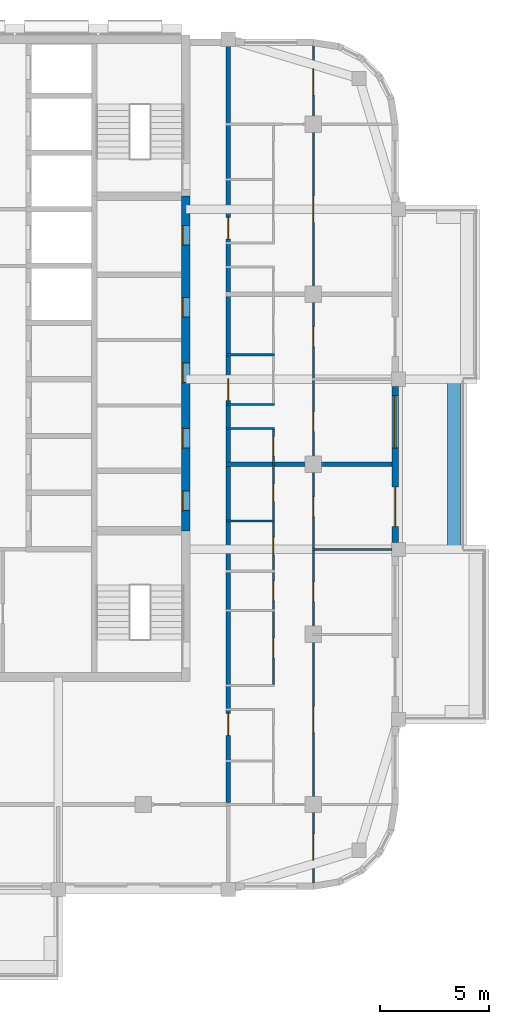
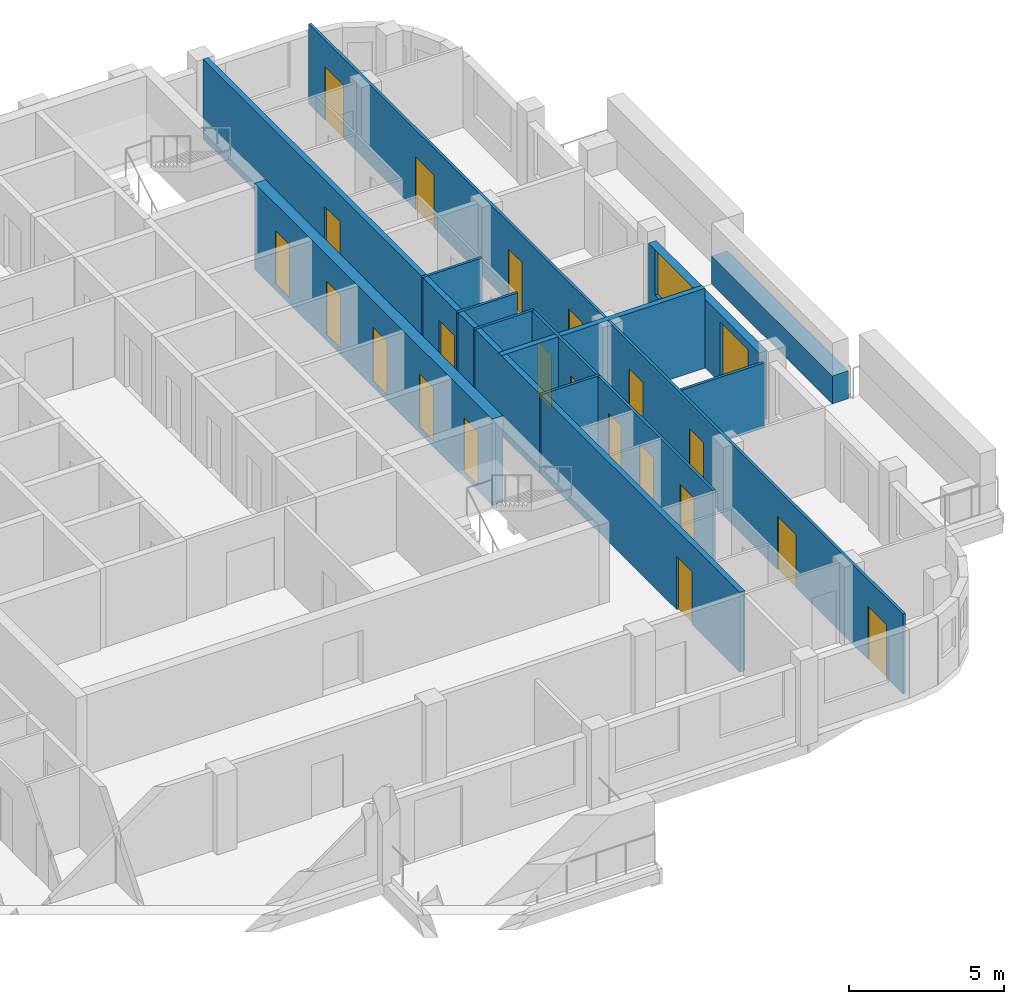
# One storey, part 6 of 13: 22 doors, 12 walls, 1 window, 23 openings.
"""IFC4 building model written with IfcOpenShell, lengths in metres."""

from ifc_helpers import new_model, si_unit, direction, frame, frame_2d, origin, place, context, subcontext, project, spatial, rectangle, extrude, material, layer, layer_set, type_object, element, fill, save


model = new_model("IFC4")

# Units and contexts
model_context = context("Model", 3, precision=1e-05, world=origin(), true_north=direction((0.0, 1.0)))
body_context = subcontext(model_context, "Body", "Model", "MODEL_VIEW")
ifc_project = project(units=[si_unit("LENGTHUNIT", "METRE"), si_unit("AREAUNIT", "SQUARE_METRE"), si_unit("VOLUMEUNIT", "CUBIC_METRE"), si_unit("PLANEANGLEUNIT", "RADIAN"), si_unit("MASSUNIT", "GRAM", prefix="KILO")], contexts=[model_context])

# Site, building, storey
site_placement = place(None, origin())
site = spatial("IfcSite", under=ifc_project, at=site_placement, CompositionType="ELEMENT")
building_placement = place(site_placement, origin())
building = spatial("IfcBuilding", under=site, at=building_placement, Name="Ludao Terraces", CompositionType="ELEMENT")
storey_placement = place(building_placement, frame((0.0, 0.0, 249.39990234375)))
storey = spatial("IfcBuildingStorey", under=building, at=storey_placement, Name="L68", CompositionType="ELEMENT", Elevation=249.39990234375)

# Wall, openings, doors
ifc_material_1 = material(Name="Concrete C50", Category="concrete")
ifc_layer_1 = layer(ifc_material_1, 0.39990234375)
ifc_layer_set_1 = layer_set([ifc_layer_1], Name="Core wall 400 C50")
wall_type_1 = type_object("IfcWallType", Name="Core wall 400 C50", PredefinedType="SOLIDWALL", material=ifc_layer_set_1)
wall_1_placement = place(storey_placement, frame((94.75, 61.949951171875, -0.25), z_axis=(0.0, 0.0, 1.0), x_axis=(0.0, 1.0, 0.0)))
wall_1 = element("IfcWall", 1, at=wall_1_placement, inside=storey, type_object=wall_type_1, Name="Core wall L68 outer-E", PredefinedType="SOLIDWALL", context=body_context, shape_type="SweptSolid", body=[
    extrude(rectangle(XDim=15.35009765625, YDim=0.39990234375, at=frame_2d((7.675048828125, 0.0))), origin(), (0.0, 0.0, 1.0), 3.400146484375),
])
opening_1_placement = place(wall_1_placement, frame((0.925048828125, 0.0, 0.25)))
opening_1 = element("IfcOpeningElement", 2, at=opening_1_placement, cuts=wall_1, Name="Opening R24-033", PredefinedType="OPENING", context=body_context, shape_type="SweptSolid", body=[
    extrude(rectangle(XDim=0.89990234375, YDim=2.10009765625, at=frame_2d((0.449951171875, 1.050048828125))), frame((0.0, 0.2099609375, 0.0), z_axis=(0.0, -1.0, 0.0), x_axis=(1.0, 0.0, 0.0)), (0.0, 0.0, 1.0), 0.419921875),
])
opening_2_placement = place(wall_1_placement, frame((3.800048828125, 0.0, 0.25)))
opening_2 = element("IfcOpeningElement", 3, at=opening_2_placement, cuts=wall_1, Name="Opening R24-040", PredefinedType="OPENING", context=body_context, shape_type="SweptSolid", body=[
    extrude(rectangle(XDim=0.89990234375, YDim=2.10009765625, at=frame_2d((0.449951171875, 1.050048828125))), frame((0.0, 0.2099609375, 0.0), z_axis=(0.0, -1.0, 0.0), x_axis=(1.0, 0.0, 0.0)), (0.0, 0.0, 1.0), 0.419921875),
])
opening_3_placement = place(wall_1_placement, frame((6.800048828125, 0.0, 0.25)))
opening_3 = element("IfcOpeningElement", 4, at=opening_3_placement, cuts=wall_1, Name="Opening R24-050", PredefinedType="OPENING", context=body_context, shape_type="SweptSolid", body=[
    extrude(rectangle(XDim=0.89990234375, YDim=2.10009765625, at=frame_2d((0.449951171875, 1.050048828125))), frame((0.0, 0.2099609375, 0.0), z_axis=(0.0, -1.0, 0.0), x_axis=(1.0, 0.0, 0.0)), (0.0, 0.0, 1.0), 0.419921875),
])
opening_4_placement = place(wall_1_placement, frame((9.800048828125, 0.0, 0.25)))
opening_4 = element("IfcOpeningElement", 5, at=opening_4_placement, cuts=wall_1, Name="Opening R24-058", PredefinedType="OPENING", context=body_context, shape_type="SweptSolid", body=[
    extrude(rectangle(XDim=0.89990234375, YDim=2.10009765625, at=frame_2d((0.449951171875, 1.050048828125))), frame((0.0, 0.2099609375, 0.0), z_axis=(0.0, -1.0, 0.0), x_axis=(1.0, 0.0, 0.0)), (0.0, 0.0, 1.0), 0.419921875),
])
opening_5_placement = place(wall_1_placement, frame((13.10009765625, 0.0, 0.25)))
opening_5 = element("IfcOpeningElement", 6, at=opening_5_placement, cuts=wall_1, Name="Opening R24-067", PredefinedType="OPENING", context=body_context, shape_type="SweptSolid", body=[
    extrude(rectangle(XDim=0.89990234375, YDim=2.10009765625, at=frame_2d((0.449951171875, 1.050048828125))), frame((0.0, 0.2099609375, 0.0), z_axis=(0.0, -1.0, 0.0), x_axis=(1.0, 0.0, 0.0)), (0.0, 0.0, 1.0), 0.419921875),
])
ifc_material_2 = material(Name="Steel Q235", Category="steel")
door_type_1 = type_object("IfcDoorType", Name="INT Riser door 900", OperationType="SINGLE_SWING_LEFT", PredefinedType="DOOR", material=ifc_material_2)
door_1_placement = place(opening_1_placement, origin())
door_1 = element("IfcDoor", 7, at=door_1_placement, inside=storey, type_object=door_type_1, Name="DOOR 033", OperationType="SINGLE_SWING_LEFT", OverallHeight=2.10009765625, OverallWidth=0.89990234375, PredefinedType="DOOR", context=body_context, shape_type="SweptSolid", body=[
    extrude(rectangle(XDim=0.89990234375, YDim=2.10009765625, at=frame_2d((0.449951171875, 1.050048828125))), frame((0.0, 0.18505859375, 0.0), z_axis=(0.0, -1.0, 0.0), x_axis=(1.0, 0.0, 0.0)), (0.0, 0.0, 1.0), 0.050048828125),
])
fill(opening_1, door_1)
door_2_placement = place(opening_5_placement, origin())
door_2 = element("IfcDoor", 8, at=door_2_placement, inside=storey, type_object=door_type_1, Name="DOOR 067", OperationType="SINGLE_SWING_RIGHT", OverallHeight=2.10009765625, OverallWidth=0.89990234375, PredefinedType="DOOR", context=body_context, shape_type="SweptSolid", body=[
    extrude(rectangle(XDim=0.89990234375, YDim=2.10009765625, at=frame_2d((0.449951171875, 1.050048828125))), frame((0.0, 0.18505859375, 0.0), z_axis=(0.0, -1.0, 0.0), x_axis=(1.0, 0.0, 0.0)), (0.0, 0.0, 1.0), 0.050048828125),
])
fill(opening_5, door_2)
ifc_material_3 = material(Name="Timber door leaf", Category="wood")
door_type_2 = type_object("IfcDoorType", Name="INT Room door 900", OperationType="SINGLE_SWING_LEFT", PredefinedType="DOOR", material=ifc_material_3)
door_3_placement = place(opening_2_placement, origin())
door_3 = element("IfcDoor", 9, at=door_3_placement, inside=storey, type_object=door_type_2, Name="DOOR 040", OperationType="SINGLE_SWING_LEFT", OverallHeight=2.10009765625, OverallWidth=0.89990234375, PredefinedType="DOOR", context=body_context, shape_type="SweptSolid", body=[
    extrude(rectangle(XDim=0.89990234375, YDim=2.10009765625, at=frame_2d((0.449951171875, 1.050048828125))), frame((0.0, 0.18505859375, 0.0), z_axis=(0.0, -1.0, 0.0), x_axis=(1.0, 0.0, 0.0)), (0.0, 0.0, 1.0), 0.050048828125),
])
fill(opening_2, door_3)
door_4_placement = place(opening_3_placement, origin())
door_4 = element("IfcDoor", 10, at=door_4_placement, inside=storey, type_object=door_type_2, Name="DOOR 050", OperationType="SINGLE_SWING_LEFT", OverallHeight=2.10009765625, OverallWidth=0.89990234375, PredefinedType="DOOR", context=body_context, shape_type="SweptSolid", body=[
    extrude(rectangle(XDim=0.89990234375, YDim=2.10009765625, at=frame_2d((0.449951171875, 1.050048828125))), frame((0.0, 0.18505859375, 0.0), z_axis=(0.0, -1.0, 0.0), x_axis=(1.0, 0.0, 0.0)), (0.0, 0.0, 1.0), 0.050048828125),
])
fill(opening_3, door_4)
door_5_placement = place(opening_4_placement, origin())
door_5 = element("IfcDoor", 11, at=door_5_placement, inside=storey, type_object=door_type_2, Name="DOOR 058", OperationType="SINGLE_SWING_LEFT", OverallHeight=2.10009765625, OverallWidth=0.89990234375, PredefinedType="DOOR", context=body_context, shape_type="SweptSolid", body=[
    extrude(rectangle(XDim=0.89990234375, YDim=2.10009765625, at=frame_2d((0.449951171875, 1.050048828125))), frame((0.0, 0.18505859375, 0.0), z_axis=(0.0, -1.0, 0.0), x_axis=(1.0, 0.0, 0.0)), (0.0, 0.0, 1.0), 0.050048828125),
])
fill(opening_4, door_5)

# Wall
ifc_material_4 = material(Name="Concrete C40", Category="concrete")
ifc_layer_2 = layer(ifc_material_4, 0.60009765625)
ifc_layer_set_2 = layer_set([ifc_layer_2], Name="ENV Planter trough 600")
wall_type_2 = type_object("IfcWallType", Name="ENV Planter trough 600", PredefinedType="USERDEFINED", material=ifc_layer_set_2)
wall_2_placement = place(storey_placement, frame((107.050048828125, 61.10009765625, 0.0), z_axis=(0.0, 0.0, 1.0), x_axis=(0.0, 1.0, 0.0)))
element("IfcWall", 12, at=wall_2_placement, inside=storey, type_object=wall_type_2, Name="PL-L68-E2", ObjectType="PLANTER", PredefinedType="USERDEFINED", context=body_context, shape_type="SweptSolid", body=[
    extrude(rectangle(XDim=7.7998046875, YDim=0.60009765625, at=frame_2d((3.89990234375, 0.0))), origin(), (0.0, 0.0, 1.0), 1.10009765625),
])

# Wall, openings, door, window
ifc_material_5 = material(Name="Granite cladding", Category="masonry")
ifc_layer_3 = layer(ifc_material_5, 0.0400390625, Category="stone")
ifc_material_6 = material(Name="Mineral wool")
ifc_layer_4 = layer(ifc_material_6, 0.06005859375)
ifc_layer_5 = layer(ifc_material_4, 0.199951171875, Category="concrete")
ifc_layer_set_3 = layer_set([ifc_layer_3, ifc_layer_4, ifc_layer_5], Name="ENV Stone-clad wall 300")
wall_type_3 = type_object("IfcWallType", Name="ENV Stone-clad wall 300", PredefinedType="SOLIDWALL", material=ifc_layer_set_3)
wall_3_placement = place(storey_placement, frame((104.35009765625, 61.425048828125, 0.0), z_axis=(0.0, 0.0, 1.0), x_axis=(0.0, 1.0, 0.0)))
wall_3 = element("IfcWall", 13, at=wall_3_placement, inside=storey, type_object=wall_type_3, Name="EW-L68-E3", PredefinedType="SOLIDWALL", context=body_context, shape_type="SweptSolid", body=[
    extrude(rectangle(XDim=7.14990234375, YDim=0.300048828125, at=frame_2d((3.574951171875, 0.0))), origin(), (0.0, 0.0, 1.0), 2.7001953125),
])
opening_6_placement = place(wall_3_placement, frame((0.72509765625, 0.0, 0.0)))
opening_6 = element("IfcOpeningElement", 14, at=opening_6_placement, cuts=wall_3, Name="Opening BD", PredefinedType="OPENING", context=body_context, shape_type="SweptSolid", body=[
    extrude(rectangle(XDim=1.800048828125, YDim=2.39990234375, at=frame_2d((0.89990234375, 1.199951171875))), frame((0.0, 0.16015625, 0.0), z_axis=(0.0, -1.0, 0.0), x_axis=(1.0, 0.0, 0.0)), (0.0, 0.0, 1.0), 0.320068359375),
])
opening_7_placement = place(wall_3_placement, frame((4.324951171875, 0.0, 0.89990234375)))
opening_7 = element("IfcOpeningElement", 15, at=opening_7_placement, cuts=wall_3, Name="Opening W1", PredefinedType="OPENING", context=body_context, shape_type="SweptSolid", body=[
    extrude(rectangle(XDim=2.39990234375, YDim=1.800048828125, at=frame_2d((1.199951171875, 0.89990234375))), frame((0.0, 0.16015625, 0.0), z_axis=(0.0, -1.0, 0.0), x_axis=(1.0, 0.0, 0.0)), (0.0, 0.0, 1.0), 0.320068359375),
])
ifc_material_7 = material(Name="Aluminium glazed door", Category="aluminium")
ifc_layer_6 = layer(ifc_material_7, 0.06005859375)
ifc_layer_set_4 = layer_set([ifc_layer_6], Name="ENV Balcony door BD 1800x2400")
door_type_3 = type_object("IfcDoorType", Name="ENV Balcony door BD 1800x2400", OperationType="DOUBLE_DOOR_SINGLE_SWING", PredefinedType="DOOR", material=ifc_layer_set_4)
door_6_placement = place(opening_6_placement, origin())
door_6 = element("IfcDoor", 16, at=door_6_placement, inside=storey, type_object=door_type_3, Name="BD-L68-E3-1", OperationType="DOUBLE_DOOR_SINGLE_SWING", OverallHeight=2.39990234375, OverallWidth=1.800048828125, PredefinedType="DOOR", context=body_context, shape_type="SweptSolid", body=[
    extrude(rectangle(XDim=1.800048828125, YDim=2.39990234375, at=frame_2d((0.89990234375, 1.199951171875))), frame((0.0, 0.02490234375, 0.0), z_axis=(0.0, -1.0, 0.0), x_axis=(1.0, 0.0, 0.0)), (0.0, 0.0, 1.0), 0.050048828125),
])
fill(opening_6, door_6)
ifc_material_8 = material(Name="Clear glass in aluminium frame", Category="aluminium")
ifc_layer_7 = layer(ifc_material_8, 0.06005859375)
ifc_layer_set_5 = layer_set([ifc_layer_7], Name="ENV Window W1 2400x1800")
window_type = type_object("IfcWindowType", Name="ENV Window W1 2400x1800", PartitioningType="DOUBLE_PANEL_VERTICAL", PredefinedType="WINDOW", material=ifc_layer_set_5)
window_placement = place(opening_7_placement, origin())
window = element("IfcWindow", 17, at=window_placement, inside=storey, type_object=window_type, Name="W-L68-E3-2", OverallHeight=1.800048828125, OverallWidth=2.39990234375, PartitioningType="DOUBLE_PANEL_VERTICAL", PredefinedType="WINDOW", context=body_context, shape_type="SweptSolid", body=[
    extrude(rectangle(XDim=2.39990234375, YDim=1.800048828125, at=frame_2d((1.199951171875, 0.89990234375))), frame((0.0, 0.030029296875, 0.0), z_axis=(0.0, -1.0, 0.0), x_axis=(1.0, 0.0, 0.0)), (0.0, 0.0, 1.0), 0.06005859375),
])
fill(opening_7, window)

# Wall, openings, doors
ifc_material_9 = material(Name="Autoclaved aerated concrete block B06 A3.5", Category="concrete")
ifc_layer_8 = layer(ifc_material_9, 0.199951171875)
ifc_layer_set_6 = layer_set([ifc_layer_8], Name="INT Entrance wall 200")
wall_type_4 = type_object("IfcWallType", Name="INT Entrance wall 200", PredefinedType="PARTITIONING", material=ifc_layer_set_6)
wall_4_placement = place(storey_placement, frame((96.699951171875, 49.5, 0.0), z_axis=(0.0, 0.0, 1.0), x_axis=(0.0, 1.0, 0.0)))
wall_4 = element("IfcWall", 18, at=wall_4_placement, inside=storey, type_object=wall_type_4, Name="PW-L68-PW056", PredefinedType="PARTITIONING", context=body_context, shape_type="SweptSolid", body=[
    extrude(rectangle(XDim=34.7001953125, YDim=0.199951171875, at=frame_2d((17.35009765625, 0.0))), origin(), (0.0, 0.0, 1.0), 3.150146484375),
])
opening_8_placement = place(wall_4_placement, frame((3.0751953125, 0.0, 0.0)))
opening_8 = element("IfcOpeningElement", 19, at=opening_8_placement, cuts=wall_4, Name="Opening R24-012", PredefinedType="OPENING", context=body_context, shape_type="SweptSolid", body=[
    extrude(rectangle(XDim=1.0, YDim=2.10009765625, at=frame_2d((0.5, 1.050048828125))), frame((0.0, 0.10986328125, 0.0), z_axis=(0.0, -1.0, 0.0), x_axis=(1.0, 0.0, 0.0)), (0.0, 0.0, 1.0), 0.219970703125),
])
opening_9_placement = place(wall_4_placement, frame((18.425048828125, 0.0, 0.0)))
opening_9 = element("IfcOpeningElement", 20, at=opening_9_placement, cuts=wall_4, Name="Opening R24-047", PredefinedType="OPENING", context=body_context, shape_type="SweptSolid", body=[
    extrude(rectangle(XDim=1.0, YDim=2.10009765625, at=frame_2d((0.5, 1.050048828125))), frame((0.0, 0.10986328125, 0.0), z_axis=(0.0, -1.0, 0.0), x_axis=(1.0, 0.0, 0.0)), (0.0, 0.0, 1.0), 0.219970703125),
])
opening_10_placement = place(wall_4_placement, frame((25.8251953125, 0.0, 0.0)))
opening_10 = element("IfcOpeningElement", 21, at=opening_10_placement, cuts=wall_4, Name="Opening R24-069", PredefinedType="OPENING", context=body_context, shape_type="SweptSolid", body=[
    extrude(rectangle(XDim=1.0, YDim=2.10009765625, at=frame_2d((0.5, 1.050048828125))), frame((0.0, 0.10986328125, 0.0), z_axis=(0.0, -1.0, 0.0), x_axis=(1.0, 0.0, 0.0)), (0.0, 0.0, 1.0), 0.219970703125),
])
door_type_4 = type_object("IfcDoorType", Name="INT Flat entrance door 1000", OperationType="SINGLE_SWING_LEFT", PredefinedType="DOOR", material=ifc_material_2)
door_7_placement = place(opening_8_placement, origin())
door_7 = element("IfcDoor", 22, at=door_7_placement, inside=storey, type_object=door_type_4, Name="DOOR 012", OperationType="SINGLE_SWING_RIGHT", OverallHeight=2.10009765625, OverallWidth=1.0, PredefinedType="DOOR", context=body_context, shape_type="SweptSolid", body=[
    extrude(rectangle(XDim=1.0, YDim=2.10009765625, at=frame_2d((0.5, 1.050048828125))), frame((0.0, 0.02490234375, 0.0), z_axis=(0.0, -1.0, 0.0), x_axis=(1.0, 0.0, 0.0)), (0.0, 0.0, 1.0), 0.050048828125),
])
fill(opening_8, door_7)
door_8_placement = place(opening_9_placement, origin())
door_8 = element("IfcDoor", 23, at=door_8_placement, inside=storey, type_object=door_type_4, Name="DOOR 047", OperationType="SINGLE_SWING_LEFT", OverallHeight=2.10009765625, OverallWidth=1.0, PredefinedType="DOOR", context=body_context, shape_type="SweptSolid", body=[
    extrude(rectangle(XDim=1.0, YDim=2.10009765625, at=frame_2d((0.5, 1.050048828125))), frame((0.0, 0.02490234375, 0.0), z_axis=(0.0, -1.0, 0.0), x_axis=(1.0, 0.0, 0.0)), (0.0, 0.0, 1.0), 0.050048828125),
])
fill(opening_9, door_8)
door_9_placement = place(opening_10_placement, origin())
door_9 = element("IfcDoor", 24, at=door_9_placement, inside=storey, type_object=door_type_4, Name="DOOR 069", OperationType="SINGLE_SWING_LEFT", OverallHeight=2.10009765625, OverallWidth=1.0, PredefinedType="DOOR", context=body_context, shape_type="SweptSolid", body=[
    extrude(rectangle(XDim=1.0, YDim=2.10009765625, at=frame_2d((0.5, 1.050048828125))), frame((0.0, 0.02490234375, 0.0), z_axis=(0.0, -1.0, 0.0), x_axis=(1.0, 0.0, 0.0)), (0.0, 0.0, 1.0), 0.050048828125),
])
fill(opening_10, door_9)

# Walls
ifc_material_10 = material(Name="Gypsum plasterboard", Category="gypsum")
ifc_layer_9 = layer(ifc_material_10, 0.012451171875, Category="gypsum")
ifc_layer_10 = layer(ifc_material_6, 0.06005859375, Name="insulation")
ifc_layer_11 = layer(ifc_material_2, 0.014892578125, Name="stud")
ifc_layer_12 = layer(ifc_material_10, 0.012451171875, Category="gypsum")
ifc_layer_set_7 = layer_set([ifc_layer_9, ifc_layer_10, ifc_layer_11, ifc_layer_12], Name="INT Partition 100")
wall_type_5 = type_object("IfcWallType", Name="INT Partition 100", PredefinedType="PARTITIONING", material=ifc_layer_set_7)
wall_5_placement = place(storey_placement, frame((100.550048828125, 61.10009765625, 0.0), z_axis=(0.0, 0.0, 1.0), x_axis=(1.0, 0.0, 0.0)))
element("IfcWall", 25, at=wall_5_placement, inside=storey, type_object=wall_type_5, Name="PW-L68-PW018", PredefinedType="PARTITIONING", context=body_context, shape_type="SweptSolid", body=[
    extrude(rectangle(XDim=3.650146484375, YDim=0.10009765625, at=frame_2d((1.8251953125, 0.0))), origin(), (0.0, 0.0, 1.0), 2.550048828125),
])
for number, where, z_axis, x_axis, name in (
    (26, (96.60009765625, 62.39990234375, 0.0), (0.0, 0.0, 1.0), (1.0, 0.0, 0.0), "PW-L68-PW020"),
    (27, (96.60009765625, 66.64990234375, 0.0), (0.0, 0.0, 1.0), (1.0, 0.0, 0.0), "PW-L68-PW024"),
    (28, (96.60009765625, 67.75, 0.0), (0.0, 0.0, 1.0), (1.0, 0.0, 0.0), "PW-L68-PW027"),
    (29, (96.60009765625, 70.030029296875, 0.0), (0.0, 0.0, 1.0), (1.0, 0.0, 0.0), "PW-L68-PW030"),
):
    element("IfcWall", number, at=place(storey_placement, frame(where, z_axis=z_axis, x_axis=x_axis)), inside=storey, type_object=wall_type_5, Name=name, PredefinedType="PARTITIONING", context=body_context, shape_type="SweptSolid", body=[
        extrude(rectangle(XDim=2.219970703125, YDim=0.10009765625, at=frame_2d((1.10986328125, 0.0))), origin(), (0.0, 0.0, 1.0), 3.150146484375),
    ])

# Wall, openings, doors
wall_6_placement = place(storey_placement, frame((98.77001953125, 54.900146484375, 0.0), z_axis=(0.0, 0.0, 1.0), x_axis=(0.0, 1.0, 0.0)))
wall_6 = element("IfcWall", 30, at=wall_6_placement, inside=storey, type_object=wall_type_5, Name="PW-L68-PW058", PredefinedType="PARTITIONING", context=body_context, shape_type="SweptSolid", body=[
    extrude(rectangle(XDim=11.699951171875, YDim=0.10009765625, at=frame_2d((5.85009765625, 0.0))), origin(), (0.0, 0.0, 1.0), 3.150146484375),
])
opening_11_placement = place(wall_6_placement, frame((1.22509765625, 0.0, 0.0)))
opening_11 = element("IfcOpeningElement", 31, at=opening_11_placement, cuts=wall_6, Name="Opening R24-019", PredefinedType="OPENING", context=body_context, shape_type="SweptSolid", body=[
    extrude(rectangle(XDim=0.89990234375, YDim=2.10009765625, at=frame_2d((0.449951171875, 1.050048828125))), frame((0.0, 0.06005859375, 0.0), z_axis=(0.0, -1.0, 0.0), x_axis=(1.0, 0.0, 0.0)), (0.0, 0.0, 1.0), 0.1201171875),
])
opening_12_placement = place(wall_6_placement, frame((3.85009765625, 0.0, 0.0)))
opening_12 = element("IfcOpeningElement", 32, at=opening_12_placement, cuts=wall_6, Name="Opening R24-024", PredefinedType="OPENING", context=body_context, shape_type="SweptSolid", body=[
    extrude(rectangle(XDim=0.89990234375, YDim=2.10009765625, at=frame_2d((0.449951171875, 1.050048828125))), frame((0.0, 0.06005859375, 0.0), z_axis=(0.0, -1.0, 0.0), x_axis=(1.0, 0.0, 0.0)), (0.0, 0.0, 1.0), 0.1201171875),
])
opening_13_placement = place(wall_6_placement, frame((5.949951171875, 0.0, 0.0)))
opening_13 = element("IfcOpeningElement", 33, at=opening_13_placement, cuts=wall_6, Name="Opening R24-027", PredefinedType="OPENING", context=body_context, shape_type="SweptSolid", body=[
    extrude(rectangle(XDim=0.800048828125, YDim=2.10009765625, at=frame_2d((0.39990234375, 1.050048828125))), frame((0.0, 0.06005859375, 0.0), z_axis=(0.0, -1.0, 0.0), x_axis=(1.0, 0.0, 0.0)), (0.0, 0.0, 1.0), 0.1201171875),
])
opening_14_placement = place(wall_6_placement, frame((8.39990234375, 0.0, 0.0)))
opening_14 = element("IfcOpeningElement", 34, at=opening_14_placement, cuts=wall_6, Name="Opening R24-035", PredefinedType="OPENING", context=body_context, shape_type="SweptSolid", body=[
    extrude(rectangle(XDim=0.800048828125, YDim=2.10009765625, at=frame_2d((0.39990234375, 1.050048828125))), frame((0.0, 0.06005859375, 0.0), z_axis=(0.0, -1.0, 0.0), x_axis=(1.0, 0.0, 0.0)), (0.0, 0.0, 1.0), 0.1201171875),
])
opening_15_placement = place(wall_6_placement, frame((10.47509765625, 0.0, 0.0)))
opening_15 = element("IfcOpeningElement", 35, at=opening_15_placement, cuts=wall_6, Name="Opening R24-039", PredefinedType="OPENING", context=body_context, shape_type="SweptSolid", body=[
    extrude(rectangle(XDim=0.89990234375, YDim=2.10009765625, at=frame_2d((0.449951171875, 1.050048828125))), frame((0.0, 0.06005859375, 0.0), z_axis=(0.0, -1.0, 0.0), x_axis=(1.0, 0.0, 0.0)), (0.0, 0.0, 1.0), 0.1201171875),
])
door_type_5 = type_object("IfcDoorType", Name="INT Bathroom door 900", OperationType="SINGLE_SWING_LEFT", PredefinedType="DOOR", material=ifc_material_3)
door_10_placement = place(opening_12_placement, origin())
door_10 = element("IfcDoor", 36, at=door_10_placement, inside=storey, type_object=door_type_5, Name="DOOR 024", OperationType="SINGLE_SWING_LEFT", OverallHeight=2.10009765625, OverallWidth=0.89990234375, PredefinedType="DOOR", context=body_context, shape_type="SweptSolid", body=[
    extrude(rectangle(XDim=0.89990234375, YDim=2.10009765625, at=frame_2d((0.449951171875, 1.050048828125))), frame((0.0, 0.02490234375, 0.0), z_axis=(0.0, -1.0, 0.0), x_axis=(1.0, 0.0, 0.0)), (0.0, 0.0, 1.0), 0.050048828125),
])
fill(opening_12, door_10)
door_11_placement = place(opening_15_placement, origin())
door_11 = element("IfcDoor", 37, at=door_11_placement, inside=storey, type_object=door_type_5, Name="DOOR 039", OperationType="SINGLE_SWING_LEFT", OverallHeight=2.10009765625, OverallWidth=0.89990234375, PredefinedType="DOOR", context=body_context, shape_type="SweptSolid", body=[
    extrude(rectangle(XDim=0.89990234375, YDim=2.10009765625, at=frame_2d((0.449951171875, 1.050048828125))), frame((0.0, 0.02490234375, 0.0), z_axis=(0.0, -1.0, 0.0), x_axis=(1.0, 0.0, 0.0)), (0.0, 0.0, 1.0), 0.050048828125),
])
fill(opening_15, door_11)
door_12_placement = place(opening_11_placement, origin())
door_12 = element("IfcDoor", 38, at=door_12_placement, inside=storey, type_object=door_type_2, Name="DOOR 019", OperationType="SINGLE_SWING_LEFT", OverallHeight=2.10009765625, OverallWidth=0.89990234375, PredefinedType="DOOR", context=body_context, shape_type="SweptSolid", body=[
    extrude(rectangle(XDim=0.89990234375, YDim=2.10009765625, at=frame_2d((0.449951171875, 1.050048828125))), frame((0.0, 0.02490234375, 0.0), z_axis=(0.0, -1.0, 0.0), x_axis=(1.0, 0.0, 0.0)), (0.0, 0.0, 1.0), 0.050048828125),
])
fill(opening_11, door_12)
door_type_6 = type_object("IfcDoorType", Name="INT Store door 800", OperationType="SINGLE_SWING_LEFT", PredefinedType="DOOR", material=ifc_material_3)
door_13_placement = place(opening_13_placement, origin())
door_13 = element("IfcDoor", 39, at=door_13_placement, inside=storey, type_object=door_type_6, Name="DOOR 027", OperationType="SINGLE_SWING_LEFT", OverallHeight=2.10009765625, OverallWidth=0.800048828125, PredefinedType="DOOR", context=body_context, shape_type="SweptSolid", body=[
    extrude(rectangle(XDim=0.800048828125, YDim=2.10009765625, at=frame_2d((0.39990234375, 1.050048828125))), frame((0.0, 0.02490234375, 0.0), z_axis=(0.0, -1.0, 0.0), x_axis=(1.0, 0.0, 0.0)), (0.0, 0.0, 1.0), 0.050048828125),
])
fill(opening_13, door_13)
door_14_placement = place(opening_14_placement, origin())
door_14 = element("IfcDoor", 40, at=door_14_placement, inside=storey, type_object=door_type_6, Name="DOOR 035", OperationType="SINGLE_SWING_LEFT", OverallHeight=2.10009765625, OverallWidth=0.800048828125, PredefinedType="DOOR", context=body_context, shape_type="SweptSolid", body=[
    extrude(rectangle(XDim=0.800048828125, YDim=2.10009765625, at=frame_2d((0.39990234375, 1.050048828125))), frame((0.0, 0.02490234375, 0.0), z_axis=(0.0, -1.0, 0.0), x_axis=(1.0, 0.0, 0.0)), (0.0, 0.0, 1.0), 0.050048828125),
])
fill(opening_14, door_14)

wall_7_placement = place(storey_placement, frame((100.60009765625, 45.800048828125, 0.0), z_axis=(0.0, 0.0, 1.0), x_axis=(0.0, 1.0, 0.0)))
wall_7 = element("IfcWall", 41, at=wall_7_placement, inside=storey, type_object=wall_type_5, Name="PW-L68-PW061", PredefinedType="PARTITIONING", context=body_context, shape_type="SweptSolid", body=[
    extrude(rectangle(XDim=38.400146484375, YDim=0.10009765625, at=frame_2d((19.2001953125, 0.0))), origin(), (0.0, 0.0, 1.0), 3.150146484375),
])
opening_16_placement = place(wall_7_placement, frame((1.050048828125, 0.0, 0.0)))
opening_16 = element("IfcOpeningElement", 42, at=opening_16_placement, cuts=wall_7, Name="Opening R24-002", PredefinedType="OPENING", context=body_context, shape_type="SweptSolid", body=[
    extrude(rectangle(XDim=1.199951171875, YDim=2.10009765625, at=frame_2d((0.60009765625, 1.050048828125))), frame((0.0, 0.06005859375, 0.0), z_axis=(0.0, -1.0, 0.0), x_axis=(1.0, 0.0, 0.0)), (0.0, 0.0, 1.0), 0.1201171875),
])
opening_17_placement = place(wall_7_placement, frame((6.89990234375, 0.0, 0.0)))
opening_17 = element("IfcOpeningElement", 43, at=opening_17_placement, cuts=wall_7, Name="Opening R24-013", PredefinedType="OPENING", context=body_context, shape_type="SweptSolid", body=[
    extrude(rectangle(XDim=1.199951171875, YDim=2.10009765625, at=frame_2d((0.60009765625, 1.050048828125))), frame((0.0, 0.06005859375, 0.0), z_axis=(0.0, -1.0, 0.0), x_axis=(1.0, 0.0, 0.0)), (0.0, 0.0, 1.0), 0.1201171875),
])
opening_18_placement = place(wall_7_placement, frame((12.89990234375, 0.0, 0.0)))
opening_18 = element("IfcOpeningElement", 44, at=opening_18_placement, cuts=wall_7, Name="Opening R24-023", PredefinedType="OPENING", context=body_context, shape_type="SweptSolid", body=[
    extrude(rectangle(XDim=0.89990234375, YDim=2.10009765625, at=frame_2d((0.449951171875, 1.050048828125))), frame((0.0, 0.06005859375, 0.0), z_axis=(0.0, -1.0, 0.0), x_axis=(1.0, 0.0, 0.0)), (0.0, 0.0, 1.0), 0.1201171875),
])
opening_19_placement = place(wall_7_placement, frame((16.800048828125, 0.0, 0.0)))
opening_19 = element("IfcOpeningElement", 45, at=opening_19_placement, cuts=wall_7, Name="Opening R24-032", PredefinedType="OPENING", context=body_context, shape_type="SweptSolid", body=[
    extrude(rectangle(XDim=0.89990234375, YDim=2.10009765625, at=frame_2d((0.449951171875, 1.050048828125))), frame((0.0, 0.06005859375, 0.0), z_axis=(0.0, -1.0, 0.0), x_axis=(1.0, 0.0, 0.0)), (0.0, 0.0, 1.0), 0.1201171875),
])
opening_20_placement = place(wall_7_placement, frame((20.699951171875, 0.0, 0.0)))
opening_20 = element("IfcOpeningElement", 46, at=opening_20_placement, cuts=wall_7, Name="Opening R24-042", PredefinedType="OPENING", context=body_context, shape_type="SweptSolid", body=[
    extrude(rectangle(XDim=0.89990234375, YDim=2.10009765625, at=frame_2d((0.449951171875, 1.050048828125))), frame((0.0, 0.06005859375, 0.0), z_axis=(0.0, -1.0, 0.0), x_axis=(1.0, 0.0, 0.0)), (0.0, 0.0, 1.0), 0.1201171875),
])
opening_21_placement = place(wall_7_placement, frame((24.60009765625, 0.0, 0.0)))
opening_21 = element("IfcOpeningElement", 47, at=opening_21_placement, cuts=wall_7, Name="Opening R24-054", PredefinedType="OPENING", context=body_context, shape_type="SweptSolid", body=[
    extrude(rectangle(XDim=0.89990234375, YDim=2.10009765625, at=frame_2d((0.449951171875, 1.050048828125))), frame((0.0, 0.06005859375, 0.0), z_axis=(0.0, -1.0, 0.0), x_axis=(1.0, 0.0, 0.0)), (0.0, 0.0, 1.0), 0.1201171875),
])
opening_22_placement = place(wall_7_placement, frame((30.300048828125, 0.0, 0.0)))
opening_22 = element("IfcOpeningElement", 48, at=opening_22_placement, cuts=wall_7, Name="Opening R24-074", PredefinedType="OPENING", context=body_context, shape_type="SweptSolid", body=[
    extrude(rectangle(XDim=1.199951171875, YDim=2.10009765625, at=frame_2d((0.60009765625, 1.050048828125))), frame((0.0, 0.06005859375, 0.0), z_axis=(0.0, -1.0, 0.0), x_axis=(1.0, 0.0, 0.0)), (0.0, 0.0, 1.0), 0.1201171875),
])
opening_23_placement = place(wall_7_placement, frame((36.14990234375, 0.0, 0.0)))
opening_23 = element("IfcOpeningElement", 49, at=opening_23_placement, cuts=wall_7, Name="Opening R24-086", PredefinedType="OPENING", context=body_context, shape_type="SweptSolid", body=[
    extrude(rectangle(XDim=1.199951171875, YDim=2.10009765625, at=frame_2d((0.60009765625, 1.050048828125))), frame((0.0, 0.06005859375, 0.0), z_axis=(0.0, -1.0, 0.0), x_axis=(1.0, 0.0, 0.0)), (0.0, 0.0, 1.0), 0.1201171875),
])
door_type_7 = type_object("IfcDoorType", Name="INT Double door 1200", OperationType="DOUBLE_DOOR_SINGLE_SWING", PredefinedType="DOOR", material=ifc_material_3)
door_15_placement = place(opening_16_placement, origin())
door_15 = element("IfcDoor", 50, at=door_15_placement, inside=storey, type_object=door_type_7, Name="DOOR 002", OperationType="DOUBLE_DOOR_SINGLE_SWING", OverallHeight=2.10009765625, OverallWidth=1.199951171875, PredefinedType="DOOR", context=body_context, shape_type="SweptSolid", body=[
    extrude(rectangle(XDim=1.199951171875, YDim=2.10009765625, at=frame_2d((0.60009765625, 1.050048828125))), frame((0.0, 0.02490234375, 0.0), z_axis=(0.0, -1.0, 0.0), x_axis=(1.0, 0.0, 0.0)), (0.0, 0.0, 1.0), 0.050048828125),
])
fill(opening_16, door_15)
door_16_placement = place(opening_17_placement, origin())
door_16 = element("IfcDoor", 51, at=door_16_placement, inside=storey, type_object=door_type_7, Name="DOOR 013", OperationType="DOUBLE_DOOR_SINGLE_SWING", OverallHeight=2.10009765625, OverallWidth=1.199951171875, PredefinedType="DOOR", context=body_context, shape_type="SweptSolid", body=[
    extrude(rectangle(XDim=1.199951171875, YDim=2.10009765625, at=frame_2d((0.60009765625, 1.050048828125))), frame((0.0, 0.02490234375, 0.0), z_axis=(0.0, -1.0, 0.0), x_axis=(1.0, 0.0, 0.0)), (0.0, 0.0, 1.0), 0.050048828125),
])
fill(opening_17, door_16)
door_17_placement = place(opening_22_placement, origin())
door_17 = element("IfcDoor", 52, at=door_17_placement, inside=storey, type_object=door_type_7, Name="DOOR 074", OperationType="DOUBLE_DOOR_SINGLE_SWING", OverallHeight=2.10009765625, OverallWidth=1.199951171875, PredefinedType="DOOR", context=body_context, shape_type="SweptSolid", body=[
    extrude(rectangle(XDim=1.199951171875, YDim=2.10009765625, at=frame_2d((0.60009765625, 1.050048828125))), frame((0.0, 0.02490234375, 0.0), z_axis=(0.0, -1.0, 0.0), x_axis=(1.0, 0.0, 0.0)), (0.0, 0.0, 1.0), 0.050048828125),
])
fill(opening_22, door_17)
door_18_placement = place(opening_23_placement, origin())
door_18 = element("IfcDoor", 53, at=door_18_placement, inside=storey, type_object=door_type_7, Name="DOOR 086", OperationType="DOUBLE_DOOR_SINGLE_SWING", OverallHeight=2.10009765625, OverallWidth=1.199951171875, PredefinedType="DOOR", context=body_context, shape_type="SweptSolid", body=[
    extrude(rectangle(XDim=1.199951171875, YDim=2.10009765625, at=frame_2d((0.60009765625, 1.050048828125))), frame((0.0, 0.02490234375, 0.0), z_axis=(0.0, -1.0, 0.0), x_axis=(1.0, 0.0, 0.0)), (0.0, 0.0, 1.0), 0.050048828125),
])
fill(opening_23, door_18)
door_19_placement = place(opening_18_placement, origin())
door_19 = element("IfcDoor", 54, at=door_19_placement, inside=storey, type_object=door_type_2, Name="DOOR 023", OperationType="SINGLE_SWING_LEFT", OverallHeight=2.10009765625, OverallWidth=0.89990234375, PredefinedType="DOOR", context=body_context, shape_type="SweptSolid", body=[
    extrude(rectangle(XDim=0.89990234375, YDim=2.10009765625, at=frame_2d((0.449951171875, 1.050048828125))), frame((0.0, 0.02490234375, 0.0), z_axis=(0.0, -1.0, 0.0), x_axis=(1.0, 0.0, 0.0)), (0.0, 0.0, 1.0), 0.050048828125),
])
fill(opening_18, door_19)
door_20_placement = place(opening_19_placement, origin())
door_20 = element("IfcDoor", 55, at=door_20_placement, inside=storey, type_object=door_type_2, Name="DOOR 032", OperationType="SINGLE_SWING_RIGHT", OverallHeight=2.10009765625, OverallWidth=0.89990234375, PredefinedType="DOOR", context=body_context, shape_type="SweptSolid", body=[
    extrude(rectangle(XDim=0.89990234375, YDim=2.10009765625, at=frame_2d((0.449951171875, 1.050048828125))), frame((0.0, 0.02490234375, 0.0), z_axis=(0.0, -1.0, 0.0), x_axis=(1.0, 0.0, 0.0)), (0.0, 0.0, 1.0), 0.050048828125),
])
fill(opening_19, door_20)
door_21_placement = place(opening_20_placement, origin())
door_21 = element("IfcDoor", 56, at=door_21_placement, inside=storey, type_object=door_type_2, Name="DOOR 042", OperationType="SINGLE_SWING_RIGHT", OverallHeight=2.10009765625, OverallWidth=0.89990234375, PredefinedType="DOOR", context=body_context, shape_type="SweptSolid", body=[
    extrude(rectangle(XDim=0.89990234375, YDim=2.10009765625, at=frame_2d((0.449951171875, 1.050048828125))), frame((0.0, 0.02490234375, 0.0), z_axis=(0.0, -1.0, 0.0), x_axis=(1.0, 0.0, 0.0)), (0.0, 0.0, 1.0), 0.050048828125),
])
fill(opening_20, door_21)
door_22_placement = place(opening_21_placement, origin())
door_22 = element("IfcDoor", 57, at=door_22_placement, inside=storey, type_object=door_type_2, Name="DOOR 054", OperationType="SINGLE_SWING_RIGHT", OverallHeight=2.10009765625, OverallWidth=0.89990234375, PredefinedType="DOOR", context=body_context, shape_type="SweptSolid", body=[
    extrude(rectangle(XDim=0.89990234375, YDim=2.10009765625, at=frame_2d((0.449951171875, 1.050048828125))), frame((0.0, 0.02490234375, 0.0), z_axis=(0.0, -1.0, 0.0), x_axis=(1.0, 0.0, 0.0)), (0.0, 0.0, 1.0), 0.050048828125),
])
fill(opening_21, door_22)

# Wall
ifc_layer_13 = layer(ifc_material_9, 0.199951171875)
ifc_layer_set_8 = layer_set([ifc_layer_13], Name="INT Party wall 200")
wall_type_6 = type_object("IfcWallType", Name="INT Party wall 200", PredefinedType="PARTITIONING", material=ifc_layer_set_8)
wall_8_placement = place(storey_placement, frame((96.60009765625, 65.0, 0.0), z_axis=(0.0, 0.0, 1.0), x_axis=(1.0, 0.0, 0.0)))
element("IfcWall", 58, at=wall_8_placement, inside=storey, type_object=wall_type_6, Name="PW-L68-PW022", PredefinedType="PARTITIONING", context=body_context, shape_type="SweptSolid", body=[
    extrude(rectangle(XDim=7.60009765625, YDim=0.199951171875, at=frame_2d((3.800048828125, 0.0))), origin(), (0.0, 0.0, 1.0), 3.150146484375),
])

save(model, "model.ifc")
